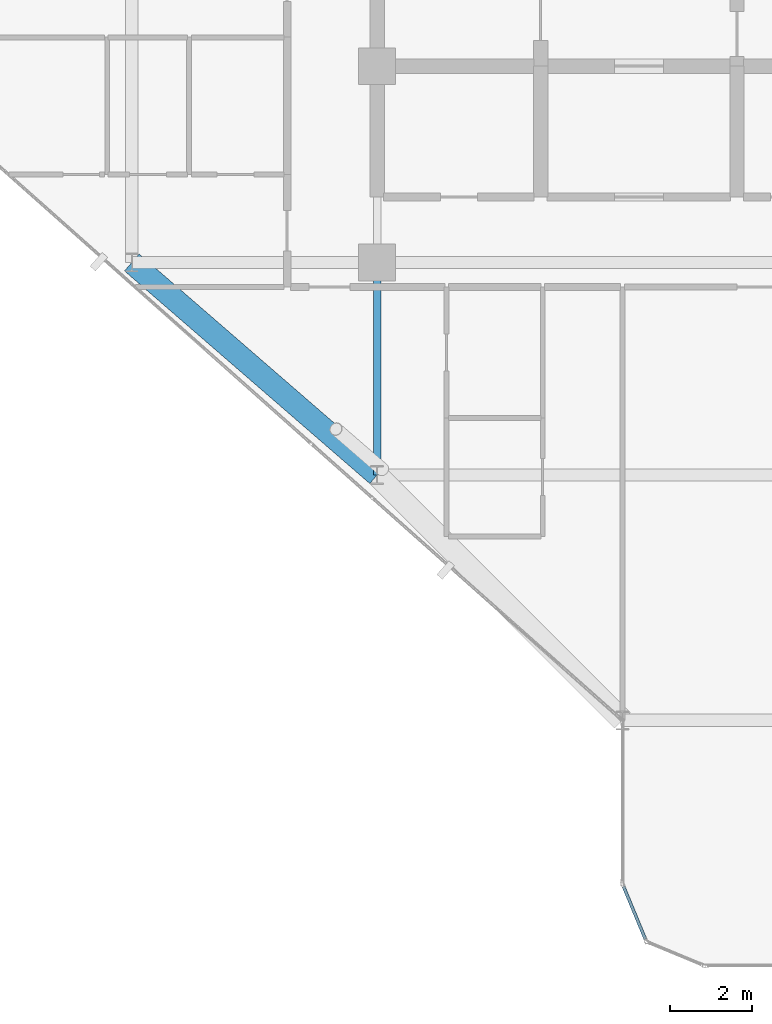
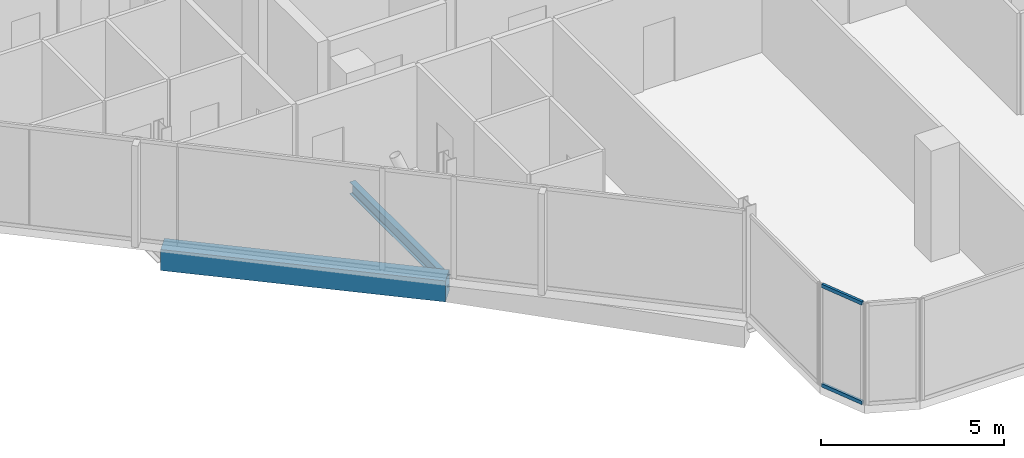
# One storey, part 5 of 29: 2 beams, 2 members, 1 element without a shape of its own.
"""IFC4 building model written with IfcOpenShell, lengths in metres."""

from ifc_helpers import new_model, si_unit, direction, frame, origin, origin_2d, place, context, subcontext, project, spatial, rectangle, hollow_rectangle, i_section, extrude, material, layer, layer_set, material_profile, profile_set, type_object, element, aggregate, save


model = new_model("IFC4")

# Units and contexts
model_context = context("Model", 3, precision=1e-05, world=origin(), true_north=direction((0.0, 1.0)))
body_context = subcontext(model_context, "Body", "Model", "MODEL_VIEW")
ifc_project = project(units=[si_unit("LENGTHUNIT", "METRE"), si_unit("AREAUNIT", "SQUARE_METRE"), si_unit("VOLUMEUNIT", "CUBIC_METRE"), si_unit("PLANEANGLEUNIT", "RADIAN"), si_unit("MASSUNIT", "GRAM", prefix="KILO")], contexts=[model_context])

# Site, building, storey
site_placement = place(None, origin())
site = spatial("IfcSite", under=ifc_project, at=site_placement, CompositionType="ELEMENT")
building_placement = place(site_placement, origin())
building = spatial("IfcBuilding", under=site, at=building_placement, Name="Keshet Zoharim Tower", CompositionType="ELEMENT")
storey_placement = place(building_placement, frame((0.0, 0.0, 203.199951171875)))
storey = spatial("IfcBuildingStorey", under=building, at=storey_placement, Name="L50", CompositionType="ELEMENT", Elevation=203.199951171875)

# Beams
ifc_material_1 = material(Name="Steel S355", Category="steel")
ifc_material_profile_1 = material_profile(ifc_material_1, i_section(OverallWidth=0.179931640625, OverallDepth=0.39990234375, WebThickness=0.008544921875, FlangeThickness=0.013427734375, FilletRadius=0.02099609375, at=origin_2d()), Name="IPE400")
ifc_profile_set_1 = profile_set([ifc_material_profile_1], Name="Steel S355")
beam_type_1 = type_object("IfcBeamType", Name="BM-PRI-IP400", PredefinedType="BEAM", material=ifc_profile_set_1)
beam_1_placement = place(storey_placement, frame((15.0, 12.699951171875, -0.510009765625), z_axis=(0.0, 1.0, 0.0), x_axis=(-1.0, 0.0, 0.0)))
element("IfcBeam", 1, at=beam_1_placement, inside=storey, type_object=beam_type_1, Name="L50 Primary Girder Y-002", PredefinedType="BEAM", context=body_context, shape_type="SweptSolid", body=[
    extrude(i_section(OverallWidth=0.179931640625, OverallDepth=0.39990234375, WebThickness=0.008544921875, FlangeThickness=0.013427734375, FilletRadius=0.02099609375, at=origin_2d()), origin(), (0.0, 0.0, 1.0), 5.199951171875),
])
ifc_material_2 = material(Name="Concrete C50/60", Category="concrete")
ifc_material_profile_2 = material_profile(ifc_material_2, rectangle(XDim=0.550048828125, YDim=0.699951171875, at=origin_2d()), Name="RC700x550")
ifc_profile_set_2 = profile_set([ifc_material_profile_2], Name="Concrete C50/60")
beam_type_2 = type_object("IfcBeamType", Name="BM-SPN-700", PredefinedType="SPANDREL", material=ifc_profile_set_2)
beam_2_placement = place(storey_placement, frame((9.0, 17.89990234375, -0.659912109375), z_axis=(0.755692126483, -0.654927026447, 0.0), x_axis=(0.654927026447, 0.755692126483, 0.0)))
element("IfcBeam", 2, at=beam_2_placement, inside=storey, type_object=beam_type_2, Name="L50 Perimeter Spandrel Beam 02", PredefinedType="SPANDREL", context=body_context, shape_type="SweptSolid", body=[
    extrude(rectangle(XDim=0.550048828125, YDim=0.699951171875, at=origin_2d()), origin(), (0.0, 0.0, 1.0), 7.939697265625),
])

# Curtain wall, members
ifc_material_3 = material(Name="Aluminium 6063-T6", Category="aluminium")
ifc_layer = layer(ifc_material_3, 0.139892578125)
ifc_layer_set = layer_set([ifc_layer], Name="Aluminium 6063-T6")
curtain_wall_type = type_object("IfcCurtainWallType", Name="CW-SYS-05", PredefinedType="NOTDEFINED", material=ifc_layer_set)
curtain_wall_placement = place(storey_placement, origin())
curtain_wall = element("IfcCurtainWall", 3, at=curtain_wall_placement, inside=storey, type_object=curtain_wall_type, Name="L50 Unitised Curtain Wall 08", PredefinedType="NOTDEFINED")
ifc_material_profile_3 = material_profile(ifc_material_3, hollow_rectangle(XDim=0.074951171875, YDim=0.1201171875, WallThickness=0.00390625, at=origin_2d()), Name="TRN-75x120")
ifc_profile_set_3 = profile_set([ifc_material_profile_3], Name="Aluminium 6063-T6")
member_type = type_object("IfcMemberType", Name="CWT-T12", PredefinedType="USERDEFINED", material=ifc_profile_set_3)
member_1_placement = place(storey_placement, frame((21.55908203125, 1.3505859375, 0.03515625), z_axis=(-0.382744609247, 0.923854189844, 0.0), x_axis=(-0.923854189844, -0.382744609247, 0.0)))
member_1 = element("IfcMember", 4, at=member_1_placement, type_object=member_type, Name="CW-05 transom 1.1", ObjectType="TRANSOM", PredefinedType="USERDEFINED", context=body_context, shape_type="SweptSolid", body=[
    extrude(hollow_rectangle(XDim=0.074951171875, YDim=0.1201171875, WallThickness=0.00390625, at=origin_2d()), origin(), (0.0, 0.0, 1.0), 1.390625),
])
member_2_placement = place(storey_placement, frame((21.55908203125, 1.3505859375, 3.35498046875), z_axis=(-0.382744609247, 0.923854189844, 0.0), x_axis=(-0.923854189844, -0.382744609247, 0.0)))
member_2 = element("IfcMember", 5, at=member_2_placement, type_object=member_type, Name="CW-05 transom 1.2", ObjectType="TRANSOM", PredefinedType="USERDEFINED", context=body_context, shape_type="SweptSolid", body=[
    extrude(hollow_rectangle(XDim=0.074951171875, YDim=0.1201171875, WallThickness=0.00390625, at=origin_2d()), origin(), (0.0, 0.0, 1.0), 1.390625),
])
aggregate(curtain_wall, [member_1, member_2])

save(model, "model.ifc")
